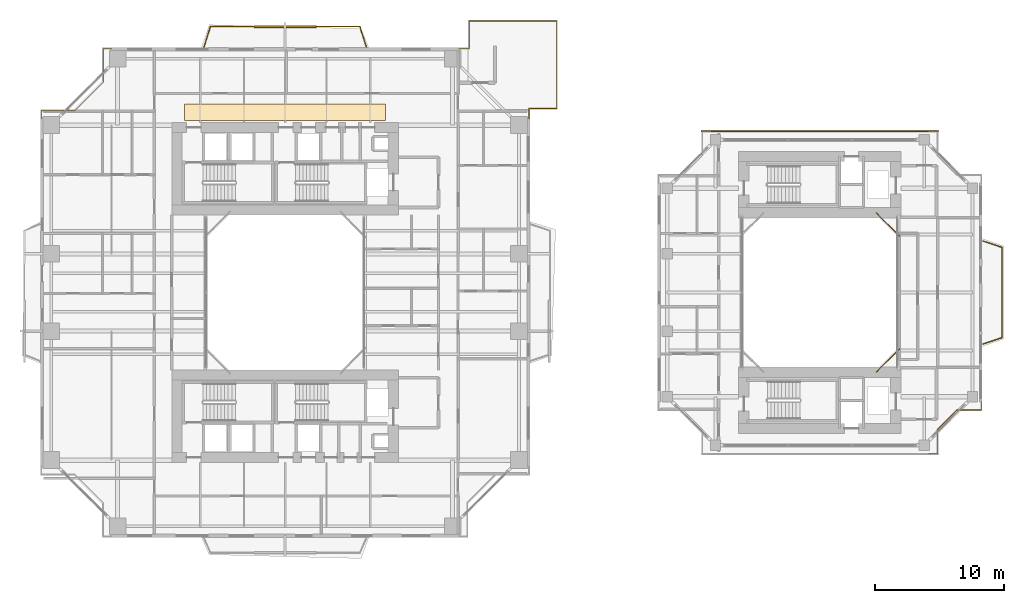
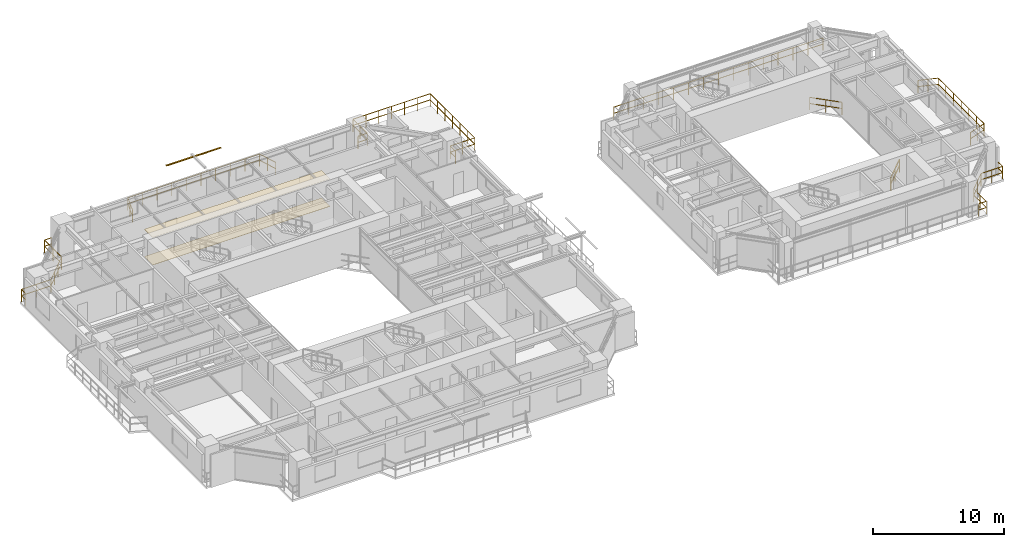
# One storey, part 22 of 23: 8 railings, 2 coverings, 1 shading device.
"""IFC4 building model written with IfcOpenShell, lengths in metres."""

from ifc_helpers import new_model, si_unit, direction, frame, origin, origin_2d, place, context, subcontext, project, spatial, polyline, rectangle, outline, extrude, source, transform, mapped, material, layer, layer_set, material_profile, profile_set, type_object, element, save


model = new_model("IFC4")

# Units and contexts
model_context = context("Model", 3, precision=1e-05, world=origin(), true_north=direction((0.0, 1.0)))
body_context = subcontext(model_context, "Body", "Model", "MODEL_VIEW")
ifc_project = project(units=[si_unit("LENGTHUNIT", "METRE"), si_unit("AREAUNIT", "SQUARE_METRE"), si_unit("VOLUMEUNIT", "CUBIC_METRE"), si_unit("PLANEANGLEUNIT", "RADIAN"), si_unit("MASSUNIT", "GRAM", prefix="KILO"), si_unit("THERMODYNAMICTEMPERATUREUNIT", "KELVIN"), si_unit("POWERUNIT", "WATT")], contexts=[model_context])

# Site, building, storey
site_placement = place(None, origin())
site = spatial("IfcSite", under=ifc_project, at=site_placement, CompositionType="ELEMENT")
building_placement = place(site_placement, origin())
building = spatial("IfcBuilding", under=site, at=building_placement, Name="Qiaomeng Ring Towers", CompositionType="ELEMENT")
storey_placement = place(building_placement, frame((0.0, 0.0, 82.75)))
storey = spatial("IfcBuildingStorey", under=building, at=storey_placement, Name="L23", CompositionType="ELEMENT", Elevation=82.75)

# Coverings
ifc_material_1 = material(Name="Moisture-resistant gypsum ceiling board", Category="gypsum")
ifc_layer_1 = layer(ifc_material_1, 0.030029296875, Name="Moisture-resistant gypsum ceiling board")
ifc_layer_set_1 = layer_set([ifc_layer_1], Name="Moisture-resistant gypsum ceiling board")
covering_type_1 = type_object("IfcCoveringType", Name="ARC-COV-CEIL2", PredefinedType="CEILING", material=ifc_layer_set_1)
covering_1_placement = place(storey_placement, frame((0.0, 0.0, 2.550048828125)))
element("IfcCovering", 1, at=covering_1_placement, inside=storey, type_object=covering_type_1, Name="L23 Corridor Acoustic Ceiling", PredefinedType="CEILING", context=body_context, shape_type="SweptSolid", body=[
    extrude(outline(polyline([(11.199951171875, 36.35009765625), (11.199951171875, 37.64990234375), (26.800048828125, 37.64990234375), (26.800048828125, 36.35009765625), (11.199951171875, 36.35009765625)])), origin(), (0.0, 0.0, 1.0), 0.02490234375),
])
ifc_material_2 = material(Name="Vitrified porcelain floor tile", Category="ceramic")
ifc_layer_2 = layer(ifc_material_2, 0.02001953125, Name="Vitrified porcelain floor tile")
ifc_layer_set_2 = layer_set([ifc_layer_2], Name="Vitrified porcelain floor tile")
covering_type_2 = type_object("IfcCoveringType", Name="ARC-COV-FLR1", PredefinedType="FLOORING", material=ifc_layer_set_2)
covering_2_placement = place(storey_placement, origin())
element("IfcCovering", 2, at=covering_2_placement, inside=storey, type_object=covering_type_2, Name="L23 Corridor Stone Flooring", PredefinedType="FLOORING", context=body_context, shape_type="SweptSolid", body=[
    extrude(outline(polyline([(11.199951171875, 36.35009765625), (11.199951171875, 37.64990234375), (26.800048828125, 37.64990234375), (26.800048828125, 36.35009765625), (11.199951171875, 36.35009765625)])), origin(), (0.0, 0.0, 1.0), 0.02001953125),
])

# Railings
ifc_material_3 = material(Name="Low-E pale-green laminated safety glass", Category="glass")
railing_type = type_object("IfcRailingType", Name="ARC-RL-BAL1", PredefinedType="BALUSTRADE", material=ifc_material_3)
railing_1_placement = place(storey_placement, frame((37.919921875, 36.47998046875, 0.0)))
element("IfcRailing", 3, at=railing_1_placement, inside=storey, type_object=railing_type, Name="L23 Balustrade ARC-BAL-L23-SPIRAL-NE", PredefinedType="BALUSTRADE", context=body_context, shape_type="SweptSolid", body=[
    extrude(rectangle(XDim=0.048095703125, YDim=0.048095703125, at=origin_2d()), frame((0.0, 0.0, 1.17578125), z_axis=(0.0, 1.0, 0.0), x_axis=(-1.0, 0.0, 0.0)), (0.0, 0.0, 1.0), 0.800048828125),
    extrude(rectangle(XDim=0.048095703125, YDim=0.048095703125, at=origin_2d()), frame((0.0, 0.0, 0.60009765625), z_axis=(0.0, 1.0, 0.0), x_axis=(-1.0, 0.0, 0.0)), (0.0, 0.0, 1.0), 0.800048828125),
    extrude(rectangle(XDim=0.048095703125, YDim=0.048095703125, at=origin_2d()), frame((0.0, 0.800048828125, 1.17578125), z_axis=(1.0, 0.0, 0.0), x_axis=(0.0, 1.0, 0.0)), (0.0, 0.0, 1.0), 2.150146484375),
    extrude(rectangle(XDim=0.048095703125, YDim=0.048095703125, at=origin_2d()), frame((0.0, 0.800048828125, 0.60009765625), z_axis=(1.0, 0.0, 0.0), x_axis=(0.0, 1.0, 0.0)), (0.0, 0.0, 1.0), 2.150146484375),
    extrude(rectangle(XDim=0.048095703125, YDim=0.048095703125, at=origin_2d()), frame((2.150146484375, 0.800048828125, 1.17578125), z_axis=(0.0, 1.0, 0.0), x_axis=(-1.0, 0.0, 0.0)), (0.0, 0.0, 1.0), 6.7900390625),
    extrude(rectangle(XDim=0.048095703125, YDim=0.048095703125, at=origin_2d()), frame((2.150146484375, 0.800048828125, 0.60009765625), z_axis=(0.0, 1.0, 0.0), x_axis=(-1.0, 0.0, 0.0)), (0.0, 0.0, 1.0), 6.7900390625),
    extrude(rectangle(XDim=0.048095703125, YDim=0.048095703125, at=origin_2d()), frame((2.150146484375, 7.590087890625, 1.17578125), z_axis=(-1.0, 0.0, 0.0), x_axis=(0.0, -1.0, 0.0)), (0.0, 0.0, 1.0), 6.7900390625),
    extrude(rectangle(XDim=0.048095703125, YDim=0.048095703125, at=origin_2d()), frame((2.150146484375, 7.590087890625, 0.60009765625), z_axis=(-1.0, 0.0, 0.0), x_axis=(0.0, -1.0, 0.0)), (0.0, 0.0, 1.0), 6.7900390625),
    extrude(rectangle(XDim=0.048095703125, YDim=0.048095703125, at=origin_2d()), frame((-4.639892578125, 7.590087890625, 1.17578125), z_axis=(0.0, -1.0, 0.0), x_axis=(1.0, 0.0, 0.0)), (0.0, 0.0, 1.0), 2.150146484375),
    extrude(rectangle(XDim=0.048095703125, YDim=0.048095703125, at=origin_2d()), frame((-4.639892578125, 7.590087890625, 0.60009765625), z_axis=(0.0, -1.0, 0.0), x_axis=(1.0, 0.0, 0.0)), (0.0, 0.0, 1.0), 2.150146484375),
    extrude(rectangle(XDim=0.048095703125, YDim=0.048095703125, at=origin_2d()), frame((-4.639892578125, 5.43994140625, 1.17578125), z_axis=(-1.0, 0.0, 0.0), x_axis=(0.0, -1.0, 0.0)), (0.0, 0.0, 1.0), 0.800048828125),
    extrude(rectangle(XDim=0.048095703125, YDim=0.048095703125, at=origin_2d()), frame((-4.639892578125, 5.43994140625, 0.60009765625), z_axis=(-1.0, 0.0, 0.0), x_axis=(0.0, -1.0, 0.0)), (0.0, 0.0, 1.0), 0.800048828125),
    extrude(rectangle(XDim=0.0419921875, YDim=0.0419921875, at=origin_2d()), origin(), (0.0, 0.0, 1.0), 1.15185546875),
    extrude(rectangle(XDim=0.0419921875, YDim=0.0419921875, at=origin_2d()), frame((0.0, 0.800048828125, 0.0)), (0.0, 0.0, 1.0), 1.15185546875),
    extrude(rectangle(XDim=0.0419921875, YDim=0.0419921875, at=origin_2d()), frame((1.0751953125, 0.800048828125, 0.0)), (0.0, 0.0, 1.0), 1.15185546875),
    extrude(rectangle(XDim=0.0419921875, YDim=0.0419921875, at=origin_2d()), frame((2.150146484375, 0.800048828125, 0.0)), (0.0, 0.0, 1.0), 1.15185546875),
    extrude(rectangle(XDim=0.0419921875, YDim=0.0419921875, at=origin_2d()), frame((2.150146484375, 1.931640625, 0.0)), (0.0, 0.0, 1.0), 1.15185546875),
    extrude(rectangle(XDim=0.0419921875, YDim=0.0419921875, at=origin_2d()), frame((2.150146484375, 3.0634765625, 0.0)), (0.0, 0.0, 1.0), 1.15185546875),
    extrude(rectangle(XDim=0.0419921875, YDim=0.0419921875, at=origin_2d()), frame((2.150146484375, 4.195068359375, 0.0)), (0.0, 0.0, 1.0), 1.15185546875),
    extrude(rectangle(XDim=0.0419921875, YDim=0.0419921875, at=origin_2d()), frame((2.150146484375, 5.32666015625, 0.0)), (0.0, 0.0, 1.0), 1.15185546875),
    extrude(rectangle(XDim=0.0419921875, YDim=0.0419921875, at=origin_2d()), frame((2.150146484375, 6.45849609375, 0.0)), (0.0, 0.0, 1.0), 1.15185546875),
    extrude(rectangle(XDim=0.0419921875, YDim=0.0419921875, at=origin_2d()), frame((2.150146484375, 7.590087890625, 0.0)), (0.0, 0.0, 1.0), 1.15185546875),
    extrude(rectangle(XDim=0.0419921875, YDim=0.0419921875, at=origin_2d()), frame((1.0185546875, 7.590087890625, 0.0)), (0.0, 0.0, 1.0), 1.15185546875),
    extrude(rectangle(XDim=0.0419921875, YDim=0.0419921875, at=origin_2d()), frame((-0.11328125, 7.590087890625, 0.0)), (0.0, 0.0, 1.0), 1.15185546875),
    extrude(rectangle(XDim=0.0419921875, YDim=0.0419921875, at=origin_2d()), frame((-1.244873046875, 7.590087890625, 0.0)), (0.0, 0.0, 1.0), 1.15185546875),
    extrude(rectangle(XDim=0.0419921875, YDim=0.0419921875, at=origin_2d()), frame((-2.37646484375, 7.590087890625, 0.0)), (0.0, 0.0, 1.0), 1.15185546875),
    extrude(rectangle(XDim=0.0419921875, YDim=0.0419921875, at=origin_2d()), frame((-3.50830078125, 7.590087890625, 0.0)), (0.0, 0.0, 1.0), 1.15185546875),
    extrude(rectangle(XDim=0.0419921875, YDim=0.0419921875, at=origin_2d()), frame((-4.639892578125, 7.590087890625, 0.0)), (0.0, 0.0, 1.0), 1.15185546875),
    extrude(rectangle(XDim=0.0419921875, YDim=0.0419921875, at=origin_2d()), frame((-4.639892578125, 6.51513671875, 0.0)), (0.0, 0.0, 1.0), 1.15185546875),
    extrude(rectangle(XDim=0.0419921875, YDim=0.0419921875, at=origin_2d()), frame((-4.639892578125, 5.43994140625, 0.0)), (0.0, 0.0, 1.0), 1.15185546875),
    extrude(rectangle(XDim=0.0419921875, YDim=0.0419921875, at=origin_2d()), frame((-5.43994140625, 5.43994140625, 0.0)), (0.0, 0.0, 1.0), 1.15185546875),
])
railing_2_placement = place(storey_placement, frame((5.530029296875, 41.919921875, 0.0)))
element("IfcRailing", 4, at=railing_2_placement, inside=storey, type_object=railing_type, Name="L23 Balustrade ARC-BAL-NOTCH1-L23-NW", PredefinedType="BALUSTRADE", context=body_context, shape_type="SweptSolid", body=[
    extrude(rectangle(XDim=0.048095703125, YDim=0.048095703125, at=origin_2d()), frame((0.0, 0.0, 1.17578125), z_axis=(-1.0, 0.0, 0.0), x_axis=(0.0, -1.0, 0.0)), (0.0, 0.0, 1.0), 0.650146484375),
    extrude(rectangle(XDim=0.048095703125, YDim=0.048095703125, at=origin_2d()), frame((0.0, 0.0, 0.60009765625), z_axis=(-1.0, 0.0, 0.0), x_axis=(0.0, -1.0, 0.0)), (0.0, 0.0, 1.0), 0.650146484375),
    extrude(rectangle(XDim=0.048095703125, YDim=0.048095703125, at=origin_2d()), frame((-0.650146484375, 0.0, 1.17578125), z_axis=(0.0, -1.0, 0.0), x_axis=(1.0, 0.0, 0.0)), (0.0, 0.0, 1.0), 2.599853515625),
    extrude(rectangle(XDim=0.048095703125, YDim=0.048095703125, at=origin_2d()), frame((-0.650146484375, 0.0, 0.60009765625), z_axis=(0.0, -1.0, 0.0), x_axis=(1.0, 0.0, 0.0)), (0.0, 0.0, 1.0), 2.599853515625),
    extrude(rectangle(XDim=0.048095703125, YDim=0.048095703125, at=origin_2d()), frame((-0.650146484375, -2.599853515625, 1.17578125), z_axis=(-0.707106781187, -0.707106781187, 0.0), x_axis=(0.707106781187, -0.707106781187, 0.0)), (0.0, 0.0, 1.0), 3.111083984375),
    extrude(rectangle(XDim=0.048095703125, YDim=0.048095703125, at=origin_2d()), frame((-0.650146484375, -2.599853515625, 0.60009765625), z_axis=(-0.707106781187, -0.707106781187, 0.0), x_axis=(0.707106781187, -0.707106781187, 0.0)), (0.0, 0.0, 1.0), 3.111083984375),
    extrude(rectangle(XDim=0.048095703125, YDim=0.048095703125, at=origin_2d()), frame((-2.85009765625, -4.7998046875, 1.17578125), z_axis=(-1.0, 0.0, 0.0), x_axis=(0.0, -1.0, 0.0)), (0.0, 0.0, 1.0), 2.599853515625),
    extrude(rectangle(XDim=0.048095703125, YDim=0.048095703125, at=origin_2d()), frame((-2.85009765625, -4.7998046875, 0.60009765625), z_axis=(-1.0, 0.0, 0.0), x_axis=(0.0, -1.0, 0.0)), (0.0, 0.0, 1.0), 2.599853515625),
    extrude(rectangle(XDim=0.048095703125, YDim=0.048095703125, at=origin_2d()), frame((-5.449951171875, -4.7998046875, 1.17578125), z_axis=(0.0, -1.0, 0.0), x_axis=(1.0, 0.0, 0.0)), (0.0, 0.0, 1.0), 0.650146484375),
    extrude(rectangle(XDim=0.048095703125, YDim=0.048095703125, at=origin_2d()), frame((-5.449951171875, -4.7998046875, 0.60009765625), z_axis=(0.0, -1.0, 0.0), x_axis=(1.0, 0.0, 0.0)), (0.0, 0.0, 1.0), 0.650146484375),
    extrude(rectangle(XDim=0.0419921875, YDim=0.0419921875, at=origin_2d()), origin(), (0.0, 0.0, 1.0), 1.15185546875),
    extrude(rectangle(XDim=0.0419921875, YDim=0.0419921875, at=origin_2d()), frame((-0.650146484375, 0.0, 0.0)), (0.0, 0.0, 1.0), 1.15185546875),
    extrude(rectangle(XDim=0.0419921875, YDim=0.0419921875, at=origin_2d()), frame((-0.650146484375, -1.2998046875, 0.0)), (0.0, 0.0, 1.0), 1.15185546875),
    extrude(rectangle(XDim=0.0419921875, YDim=0.0419921875, at=origin_2d()), frame((-0.650146484375, -2.599853515625, 0.0)), (0.0, 0.0, 1.0), 1.15185546875),
    extrude(rectangle(XDim=0.0419921875, YDim=0.0419921875, at=origin_2d()), frame((-1.383544921875, -3.333251953125, 0.0)), (0.0, 0.0, 1.0), 1.15185546875),
    extrude(rectangle(XDim=0.0419921875, YDim=0.0419921875, at=origin_2d()), frame((-2.11669921875, -4.06640625, 0.0)), (0.0, 0.0, 1.0), 1.15185546875),
    extrude(rectangle(XDim=0.0419921875, YDim=0.0419921875, at=origin_2d()), frame((-2.85009765625, -4.7998046875, 0.0)), (0.0, 0.0, 1.0), 1.15185546875),
    extrude(rectangle(XDim=0.0419921875, YDim=0.0419921875, at=origin_2d()), frame((-4.14990234375, -4.7998046875, 0.0)), (0.0, 0.0, 1.0), 1.15185546875),
    extrude(rectangle(XDim=0.0419921875, YDim=0.0419921875, at=origin_2d()), frame((-5.449951171875, -4.7998046875, 0.0)), (0.0, 0.0, 1.0), 1.15185546875),
    extrude(rectangle(XDim=0.0419921875, YDim=0.0419921875, at=origin_2d()), frame((-5.449951171875, -5.449951171875, 0.0)), (0.0, 0.0, 1.0), 1.15185546875),
])
railing_3_placement = place(storey_placement, frame((12.699951171875, 42.050048828125, 0.0)))
element("IfcRailing", 5, at=railing_3_placement, inside=storey, type_object=railing_type, Name="L23 Balustrade ARC-BAL-L23-T1-N", PredefinedType="BALUSTRADE", context=body_context, shape_type="SweptSolid", body=[
    extrude(rectangle(XDim=0.048095703125, YDim=0.048095703125, at=origin_2d()), frame((0.0, 0.0, 1.17578125), z_axis=(0.300009430376, 0.95393623565, 0.0), x_axis=(-0.95393623565, 0.300009430376, 0.0)), (0.0, 0.0, 1.0), 1.66650390625),
    extrude(rectangle(XDim=0.048095703125, YDim=0.048095703125, at=origin_2d()), frame((0.0, 0.0, 0.60009765625), z_axis=(0.300009430376, 0.95393623565, 0.0), x_axis=(-0.95393623565, 0.300009430376, 0.0)), (0.0, 0.0, 1.0), 1.66650390625),
    extrude(rectangle(XDim=0.048095703125, YDim=0.048095703125, at=origin_2d()), frame((0.5, 1.58984375, 1.17578125), z_axis=(1.0, 0.0, 0.0), x_axis=(0.0, 1.0, 0.0)), (0.0, 0.0, 1.0), 11.60009765625),
    extrude(rectangle(XDim=0.048095703125, YDim=0.048095703125, at=origin_2d()), frame((0.5, 1.58984375, 0.60009765625), z_axis=(1.0, 0.0, 0.0), x_axis=(0.0, 1.0, 0.0)), (0.0, 0.0, 1.0), 11.60009765625),
    extrude(rectangle(XDim=0.048095703125, YDim=0.048095703125, at=origin_2d()), frame((12.10009765625, 1.58984375, 1.17578125), z_axis=(0.300009430376, -0.95393623565, 0.0), x_axis=(0.95393623565, 0.300009430376, 0.0)), (0.0, 0.0, 1.0), 1.66650390625),
    extrude(rectangle(XDim=0.048095703125, YDim=0.048095703125, at=origin_2d()), frame((12.10009765625, 1.58984375, 0.60009765625), z_axis=(0.300009430376, -0.95393623565, 0.0), x_axis=(0.95393623565, 0.300009430376, 0.0)), (0.0, 0.0, 1.0), 1.66650390625),
    extrude(rectangle(XDim=0.0419921875, YDim=0.0419921875, at=origin_2d()), origin(), (0.0, 0.0, 1.0), 1.15185546875),
    extrude(rectangle(XDim=0.0419921875, YDim=0.0419921875, at=origin_2d()), frame((0.25, 0.794921875, 0.0)), (0.0, 0.0, 1.0), 1.15185546875),
    extrude(rectangle(XDim=0.0419921875, YDim=0.0419921875, at=origin_2d()), frame((0.5, 1.58984375, 0.0)), (0.0, 0.0, 1.0), 1.15185546875),
    extrude(rectangle(XDim=0.0419921875, YDim=0.0419921875, at=origin_2d()), frame((1.788818359375, 1.58984375, 0.0)), (0.0, 0.0, 1.0), 1.15185546875),
    extrude(rectangle(XDim=0.0419921875, YDim=0.0419921875, at=origin_2d()), frame((3.077880859375, 1.58984375, 0.0)), (0.0, 0.0, 1.0), 1.15185546875),
    extrude(rectangle(XDim=0.0419921875, YDim=0.0419921875, at=origin_2d()), frame((4.36669921875, 1.58984375, 0.0)), (0.0, 0.0, 1.0), 1.15185546875),
    extrude(rectangle(XDim=0.0419921875, YDim=0.0419921875, at=origin_2d()), frame((5.655517578125, 1.58984375, 0.0)), (0.0, 0.0, 1.0), 1.15185546875),
    extrude(rectangle(XDim=0.0419921875, YDim=0.0419921875, at=origin_2d()), frame((6.944580078125, 1.58984375, 0.0)), (0.0, 0.0, 1.0), 1.15185546875),
    extrude(rectangle(XDim=0.0419921875, YDim=0.0419921875, at=origin_2d()), frame((8.2333984375, 1.58984375, 0.0)), (0.0, 0.0, 1.0), 1.15185546875),
    extrude(rectangle(XDim=0.0419921875, YDim=0.0419921875, at=origin_2d()), frame((9.522216796875, 1.58984375, 0.0)), (0.0, 0.0, 1.0), 1.15185546875),
    extrude(rectangle(XDim=0.0419921875, YDim=0.0419921875, at=origin_2d()), frame((10.811279296875, 1.58984375, 0.0)), (0.0, 0.0, 1.0), 1.15185546875),
    extrude(rectangle(XDim=0.0419921875, YDim=0.0419921875, at=origin_2d()), frame((12.10009765625, 1.58984375, 0.0)), (0.0, 0.0, 1.0), 1.15185546875),
    extrude(rectangle(XDim=0.0419921875, YDim=0.0419921875, at=origin_2d()), frame((12.35009765625, 0.794921875, 0.0)), (0.0, 0.0, 1.0), 1.15185546875),
    extrude(rectangle(XDim=0.0419921875, YDim=0.0419921875, at=origin_2d()), frame((12.60009765625, 0.0, 0.0)), (0.0, 0.0, 1.0), 1.15185546875),
])
railing_4_placement = place(storey_placement, frame((64.8798828125, 16.820068359375, 0.0)))
element("IfcRailing", 6, at=railing_4_placement, inside=storey, type_object=railing_type, Name="L23 Balustrade ARC-BAL-WELL2-L23-1", PredefinedType="BALUSTRADE", context=body_context, shape_type="SweptSolid", body=[
    extrude(rectangle(XDim=0.048095703125, YDim=0.048095703125, at=origin_2d()), frame((0.0, 0.0, 1.17578125), z_axis=(0.707106781187, 0.707106781187, 0.0), x_axis=(-0.707106781187, 0.707106781187, 0.0)), (0.0, 0.0, 1.0), 2.545654296875),
    extrude(rectangle(XDim=0.048095703125, YDim=0.048095703125, at=origin_2d()), frame((0.0, 0.0, 0.60009765625), z_axis=(0.707106781187, 0.707106781187, 0.0), x_axis=(-0.707106781187, 0.707106781187, 0.0)), (0.0, 0.0, 1.0), 2.545654296875),
    extrude(rectangle(XDim=0.0419921875, YDim=0.0419921875, at=origin_2d()), origin(), (0.0, 0.0, 1.0), 1.15185546875),
    extrude(rectangle(XDim=0.0419921875, YDim=0.0419921875, at=origin_2d()), frame((0.89990234375, 0.89990234375, 0.0)), (0.0, 0.0, 1.0), 1.15185546875),
    extrude(rectangle(XDim=0.0419921875, YDim=0.0419921875, at=origin_2d()), frame((1.800048828125, 1.800048828125, 0.0)), (0.0, 0.0, 1.0), 1.15185546875),
])
railing_5_placement = place(storey_placement, frame((66.679931640625, 27.3798828125, 0.0)))
element("IfcRailing", 7, at=railing_5_placement, inside=storey, type_object=railing_type, Name="L23 Balustrade ARC-BAL-WELL2-L23-2", PredefinedType="BALUSTRADE", context=body_context, shape_type="SweptSolid", body=[
    extrude(rectangle(XDim=0.048095703125, YDim=0.048095703125, at=origin_2d()), frame((0.0, 0.0, 1.17578125), z_axis=(-0.707106781187, 0.707106781187, 0.0), x_axis=(-0.707106781187, -0.707106781187, 0.0)), (0.0, 0.0, 1.0), 2.545654296875),
    extrude(rectangle(XDim=0.048095703125, YDim=0.048095703125, at=origin_2d()), frame((0.0, 0.0, 0.60009765625), z_axis=(-0.707106781187, 0.707106781187, 0.0), x_axis=(-0.707106781187, -0.707106781187, 0.0)), (0.0, 0.0, 1.0), 2.545654296875),
    extrude(rectangle(XDim=0.0419921875, YDim=0.0419921875, at=origin_2d()), origin(), (0.0, 0.0, 1.0), 1.15185546875),
    extrude(rectangle(XDim=0.0419921875, YDim=0.0419921875, at=origin_2d()), frame((-0.89990234375, 0.89990234375, 0.0)), (0.0, 0.0, 1.0), 1.15185546875),
    extrude(rectangle(XDim=0.0419921875, YDim=0.0419921875, at=origin_2d()), frame((-1.800048828125, 1.800048828125, 0.0)), (0.0, 0.0, 1.0), 1.15185546875),
])
railing_6_placement = place(storey_placement, frame((68.969970703125, 10.47998046875, 0.0)))
element("IfcRailing", 8, at=railing_6_placement, inside=storey, type_object=railing_type, Name="L23 Balustrade ARC-BAL-NOTCH2-L23-SE", PredefinedType="BALUSTRADE", context=body_context, shape_type="SweptSolid", body=[
    extrude(rectangle(XDim=0.048095703125, YDim=0.048095703125, at=origin_2d()), frame((0.0, 0.0, 1.17578125), z_axis=(1.0, 0.0, 0.0), x_axis=(0.0, 1.0, 0.0)), (0.0, 0.0, 1.0), 0.650146484375),
    extrude(rectangle(XDim=0.048095703125, YDim=0.048095703125, at=origin_2d()), frame((0.0, 0.0, 0.60009765625), z_axis=(1.0, 0.0, 0.0), x_axis=(0.0, 1.0, 0.0)), (0.0, 0.0, 1.0), 0.650146484375),
    extrude(rectangle(XDim=0.048095703125, YDim=0.048095703125, at=origin_2d()), frame((0.650146484375, 0.0, 1.17578125), z_axis=(0.0, 1.0, 0.0), x_axis=(-1.0, 0.0, 0.0)), (0.0, 0.0, 1.0), 1.89990234375),
    extrude(rectangle(XDim=0.048095703125, YDim=0.048095703125, at=origin_2d()), frame((0.650146484375, 0.0, 0.60009765625), z_axis=(0.0, 1.0, 0.0), x_axis=(-1.0, 0.0, 0.0)), (0.0, 0.0, 1.0), 1.89990234375),
    extrude(rectangle(XDim=0.048095703125, YDim=0.048095703125, at=origin_2d()), frame((0.650146484375, 1.89990234375, 1.17578125), z_axis=(0.707106781187, 0.707106781187, 0.0), x_axis=(-0.707106781187, 0.707106781187, 0.0)), (0.0, 0.0, 1.0), 2.121337890625),
    extrude(rectangle(XDim=0.048095703125, YDim=0.048095703125, at=origin_2d()), frame((0.650146484375, 1.89990234375, 0.60009765625), z_axis=(0.707106781187, 0.707106781187, 0.0), x_axis=(-0.707106781187, 0.707106781187, 0.0)), (0.0, 0.0, 1.0), 2.121337890625),
    extrude(rectangle(XDim=0.048095703125, YDim=0.048095703125, at=origin_2d()), frame((2.150146484375, 3.39990234375, 1.17578125), z_axis=(1.0, 0.0, 0.0), x_axis=(0.0, 1.0, 0.0)), (0.0, 0.0, 1.0), 1.89990234375),
    extrude(rectangle(XDim=0.048095703125, YDim=0.048095703125, at=origin_2d()), frame((2.150146484375, 3.39990234375, 0.60009765625), z_axis=(1.0, 0.0, 0.0), x_axis=(0.0, 1.0, 0.0)), (0.0, 0.0, 1.0), 1.89990234375),
    extrude(rectangle(XDim=0.048095703125, YDim=0.048095703125, at=origin_2d()), frame((4.050048828125, 3.39990234375, 1.17578125), z_axis=(0.0, 1.0, 0.0), x_axis=(-1.0, 0.0, 0.0)), (0.0, 0.0, 1.0), 0.650146484375),
    extrude(rectangle(XDim=0.048095703125, YDim=0.048095703125, at=origin_2d()), frame((4.050048828125, 3.39990234375, 0.60009765625), z_axis=(0.0, 1.0, 0.0), x_axis=(-1.0, 0.0, 0.0)), (0.0, 0.0, 1.0), 0.650146484375),
    extrude(rectangle(XDim=0.0419921875, YDim=0.0419921875, at=origin_2d()), origin(), (0.0, 0.0, 1.0), 1.15185546875),
    extrude(rectangle(XDim=0.0419921875, YDim=0.0419921875, at=origin_2d()), frame((0.650146484375, 0.0, 0.0)), (0.0, 0.0, 1.0), 1.15185546875),
    extrude(rectangle(XDim=0.0419921875, YDim=0.0419921875, at=origin_2d()), frame((0.650146484375, 0.949951171875, 0.0)), (0.0, 0.0, 1.0), 1.15185546875),
    extrude(rectangle(XDim=0.0419921875, YDim=0.0419921875, at=origin_2d()), frame((0.650146484375, 1.89990234375, 0.0)), (0.0, 0.0, 1.0), 1.15185546875),
    extrude(rectangle(XDim=0.0419921875, YDim=0.0419921875, at=origin_2d()), frame((1.400146484375, 2.64990234375, 0.0)), (0.0, 0.0, 1.0), 1.15185546875),
    extrude(rectangle(XDim=0.0419921875, YDim=0.0419921875, at=origin_2d()), frame((2.150146484375, 3.39990234375, 0.0)), (0.0, 0.0, 1.0), 1.15185546875),
    extrude(rectangle(XDim=0.0419921875, YDim=0.0419921875, at=origin_2d()), frame((3.10009765625, 3.39990234375, 0.0)), (0.0, 0.0, 1.0), 1.15185546875),
    extrude(rectangle(XDim=0.0419921875, YDim=0.0419921875, at=origin_2d()), frame((4.050048828125, 3.39990234375, 0.0)), (0.0, 0.0, 1.0), 1.15185546875),
    extrude(rectangle(XDim=0.0419921875, YDim=0.0419921875, at=origin_2d()), frame((4.050048828125, 4.050048828125, 0.0)), (0.0, 0.0, 1.0), 1.15185546875),
])
railing_7_placement = place(storey_placement, frame((51.300048828125, 35.52001953125, 0.0)))
element("IfcRailing", 9, at=railing_7_placement, inside=storey, type_object=railing_type, Name="L23 Balustrade ARC-BAL-T2N-L23", PredefinedType="BALUSTRADE", context=body_context, shape_type="SweptSolid", body=[
    extrude(rectangle(XDim=0.048095703125, YDim=0.048095703125, at=origin_2d()), frame((0.0, 0.0, 1.17578125), z_axis=(1.0, 0.0, 0.0), x_axis=(0.0, 1.0, 0.0)), (0.0, 0.0, 1.0), 18.39990234375),
    extrude(rectangle(XDim=0.048095703125, YDim=0.048095703125, at=origin_2d()), frame((0.0, 0.0, 0.60009765625), z_axis=(1.0, 0.0, 0.0), x_axis=(0.0, 1.0, 0.0)), (0.0, 0.0, 1.0), 18.39990234375),
    extrude(rectangle(XDim=0.0419921875, YDim=0.0419921875, at=origin_2d()), origin(), (0.0, 0.0, 1.0), 1.15185546875),
    extrude(rectangle(XDim=0.0419921875, YDim=0.0419921875, at=origin_2d()), frame((1.314208984375, 0.0, 0.0)), (0.0, 0.0, 1.0), 1.15185546875),
    extrude(rectangle(XDim=0.0419921875, YDim=0.0419921875, at=origin_2d()), frame((2.628662109375, 0.0, 0.0)), (0.0, 0.0, 1.0), 1.15185546875),
    extrude(rectangle(XDim=0.0419921875, YDim=0.0419921875, at=origin_2d()), frame((3.94287109375, 0.0, 0.0)), (0.0, 0.0, 1.0), 1.15185546875),
    extrude(rectangle(XDim=0.0419921875, YDim=0.0419921875, at=origin_2d()), frame((5.257080078125, 0.0, 0.0)), (0.0, 0.0, 1.0), 1.15185546875),
    extrude(rectangle(XDim=0.0419921875, YDim=0.0419921875, at=origin_2d()), frame((6.5712890625, 0.0, 0.0)), (0.0, 0.0, 1.0), 1.15185546875),
    extrude(rectangle(XDim=0.0419921875, YDim=0.0419921875, at=origin_2d()), frame((7.8857421875, 0.0, 0.0)), (0.0, 0.0, 1.0), 1.15185546875),
    extrude(rectangle(XDim=0.0419921875, YDim=0.0419921875, at=origin_2d()), frame((9.199951171875, 0.0, 0.0)), (0.0, 0.0, 1.0), 1.15185546875),
    extrude(rectangle(XDim=0.0419921875, YDim=0.0419921875, at=origin_2d()), frame((10.51416015625, 0.0, 0.0)), (0.0, 0.0, 1.0), 1.15185546875),
    extrude(rectangle(XDim=0.0419921875, YDim=0.0419921875, at=origin_2d()), frame((11.82861328125, 0.0, 0.0)), (0.0, 0.0, 1.0), 1.15185546875),
    extrude(rectangle(XDim=0.0419921875, YDim=0.0419921875, at=origin_2d()), frame((13.142822265625, 0.0, 0.0)), (0.0, 0.0, 1.0), 1.15185546875),
    extrude(rectangle(XDim=0.0419921875, YDim=0.0419921875, at=origin_2d()), frame((14.45703125, 0.0, 0.0)), (0.0, 0.0, 1.0), 1.15185546875),
    extrude(rectangle(XDim=0.0419921875, YDim=0.0419921875, at=origin_2d()), frame((15.771240234375, 0.0, 0.0)), (0.0, 0.0, 1.0), 1.15185546875),
    extrude(rectangle(XDim=0.0419921875, YDim=0.0419921875, at=origin_2d()), frame((17.085693359375, 0.0, 0.0)), (0.0, 0.0, 1.0), 1.15185546875),
    extrude(rectangle(XDim=0.0419921875, YDim=0.0419921875, at=origin_2d()), frame((18.39990234375, 0.0, 0.0)), (0.0, 0.0, 1.0), 1.15185546875),
])
railing_8_placement = place(storey_placement, frame((73.14990234375, 19.0, 0.0)))
element("IfcRailing", 10, at=railing_8_placement, inside=storey, type_object=railing_type, Name="L23 Balustrade ARC-BAL-L23-T2-E", PredefinedType="BALUSTRADE", context=body_context, shape_type="SweptSolid", body=[
    extrude(rectangle(XDim=0.048095703125, YDim=0.048095703125, at=origin_2d()), frame((0.0, 0.0, 1.17578125), z_axis=(0.948044476945, 0.318137815629, 0.0), x_axis=(-0.318137815629, 0.948044476945, 0.0)), (0.0, 0.0, 1.0), 1.571533203125),
    extrude(rectangle(XDim=0.048095703125, YDim=0.048095703125, at=origin_2d()), frame((0.0, 0.0, 0.60009765625), z_axis=(0.948044476945, 0.318137815629, 0.0), x_axis=(-0.318137815629, 0.948044476945, 0.0)), (0.0, 0.0, 1.0), 1.571533203125),
    extrude(rectangle(XDim=0.048095703125, YDim=0.048095703125, at=origin_2d()), frame((1.489990234375, 0.5, 1.17578125), z_axis=(0.0, 1.0, 0.0), x_axis=(-1.0, 0.0, 0.0)), (0.0, 0.0, 1.0), 7.0),
    extrude(rectangle(XDim=0.048095703125, YDim=0.048095703125, at=origin_2d()), frame((1.489990234375, 0.5, 0.60009765625), z_axis=(0.0, 1.0, 0.0), x_axis=(-1.0, 0.0, 0.0)), (0.0, 0.0, 1.0), 7.0),
    extrude(rectangle(XDim=0.048095703125, YDim=0.048095703125, at=origin_2d()), frame((1.489990234375, 7.5, 1.17578125), z_axis=(-0.948044476945, 0.318137815629, 0.0), x_axis=(-0.318137815629, -0.948044476945, 0.0)), (0.0, 0.0, 1.0), 1.571533203125),
    extrude(rectangle(XDim=0.048095703125, YDim=0.048095703125, at=origin_2d()), frame((1.489990234375, 7.5, 0.60009765625), z_axis=(-0.948044476945, 0.318137815629, 0.0), x_axis=(-0.318137815629, -0.948044476945, 0.0)), (0.0, 0.0, 1.0), 1.571533203125),
    extrude(rectangle(XDim=0.0419921875, YDim=0.0419921875, at=origin_2d()), origin(), (0.0, 0.0, 1.0), 1.15185546875),
    extrude(rectangle(XDim=0.0419921875, YDim=0.0419921875, at=origin_2d()), frame((0.7451171875, 0.25, 0.0)), (0.0, 0.0, 1.0), 1.15185546875),
    extrude(rectangle(XDim=0.0419921875, YDim=0.0419921875, at=origin_2d()), frame((1.489990234375, 0.5, 0.0)), (0.0, 0.0, 1.0), 1.15185546875),
    extrude(rectangle(XDim=0.0419921875, YDim=0.0419921875, at=origin_2d()), frame((1.489990234375, 1.666748046875, 0.0)), (0.0, 0.0, 1.0), 1.15185546875),
    extrude(rectangle(XDim=0.0419921875, YDim=0.0419921875, at=origin_2d()), frame((1.489990234375, 2.833251953125, 0.0)), (0.0, 0.0, 1.0), 1.15185546875),
    extrude(rectangle(XDim=0.0419921875, YDim=0.0419921875, at=origin_2d()), frame((1.489990234375, 4.0, 0.0)), (0.0, 0.0, 1.0), 1.15185546875),
    extrude(rectangle(XDim=0.0419921875, YDim=0.0419921875, at=origin_2d()), frame((1.489990234375, 5.166748046875, 0.0)), (0.0, 0.0, 1.0), 1.15185546875),
    extrude(rectangle(XDim=0.0419921875, YDim=0.0419921875, at=origin_2d()), frame((1.489990234375, 6.333251953125, 0.0)), (0.0, 0.0, 1.0), 1.15185546875),
    extrude(rectangle(XDim=0.0419921875, YDim=0.0419921875, at=origin_2d()), frame((1.489990234375, 7.5, 0.0)), (0.0, 0.0, 1.0), 1.15185546875),
    extrude(rectangle(XDim=0.0419921875, YDim=0.0419921875, at=origin_2d()), frame((0.7451171875, 7.75, 0.0)), (0.0, 0.0, 1.0), 1.15185546875),
    extrude(rectangle(XDim=0.0419921875, YDim=0.0419921875, at=origin_2d()), frame((0.0, 8.0, 0.0)), (0.0, 0.0, 1.0), 1.15185546875),
])

# Shading device
ifc_material_4 = material(Name="Fluorocarbon dark-grey aluminium", Category="aluminium")
ifc_material_profile = material_profile(ifc_material_4, rectangle(XDim=0.14990234375, YDim=0.034912109375, at=origin_2d()), Name="LV BLADE 150x35")
ifc_profile_set = profile_set([ifc_material_profile], Name="Fluorocarbon dark-grey aluminium")
shading_device_type = type_object("IfcShadingDeviceType", Name="ARC-SHD-SUN", PredefinedType="AWNING", material=ifc_profile_set)
shared_shape = source(origin(), body_context, "Body", "SweptSolid", [
    extrude(rectangle(XDim=0.14990234375, YDim=0.034912109375, at=origin_2d()), origin(), (0.0, 0.0, 1.0), 4.7998046875),
])
shading_device_placement = place(storey_placement, frame((16.60009765625, 43.639892578125, 2.969970703125), z_axis=(1.0, 0.0, 0.0), x_axis=(0.0, 1.0, 0.0)))
element("IfcShadingDevice", 11, at=shading_device_placement, inside=storey, type_object=shading_device_type, Name="L23 Ventilated Outer-Skin Sunshade N", PredefinedType="AWNING", context=body_context, shape_type="MappedRepresentation", body=[
    mapped(shared_shape, transform((0.0, 0.0, 0.0), x_axis=(1.0, 0.0, 0.0), y_axis=(0.0, 1.0, 0.0), z_axis=(0.0, 0.0, 1.0), scale=1.0)),
])

save(model, "model.ifc")
